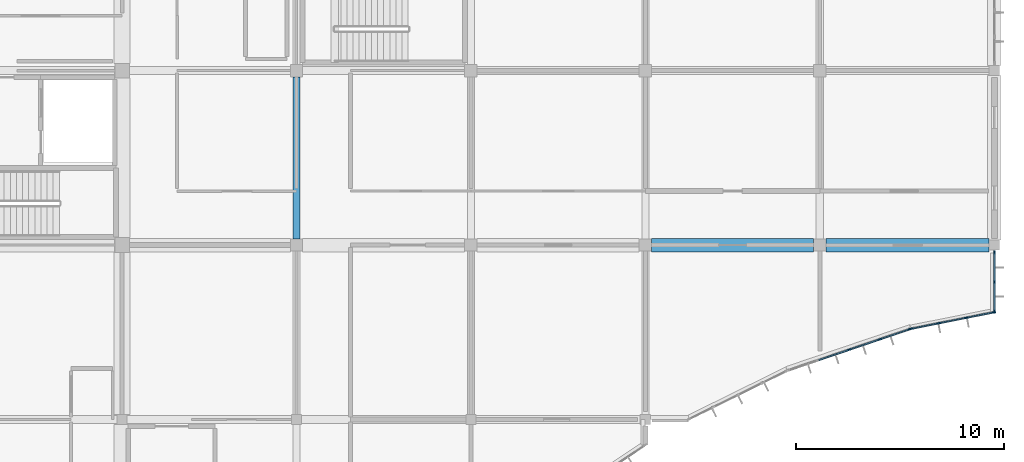
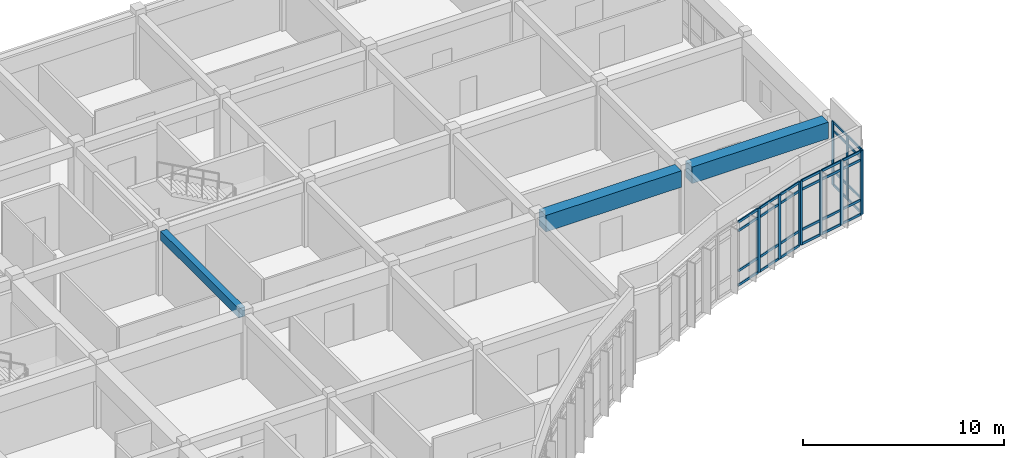
# One storey, part 51 of 119: 42 members, 3 beams, 3 elements without a shape of their own.
"""IFC4 building model written with IfcOpenShell, lengths in metres."""

from ifc_helpers import new_model, si_unit, direction, frame, origin, origin_2d, place, context, subcontext, project, spatial, rectangle, extrude, material, layer, layer_set, material_profile, profile_set, type_object, element, aggregate, save


model = new_model("IFC4")

# Units and contexts
model_context = context("Model", 3, precision=1e-05, world=origin(), true_north=direction((0.0, 1.0)))
body_context = subcontext(model_context, "Body", "Model", "MODEL_VIEW")
ifc_project = project(units=[si_unit("LENGTHUNIT", "METRE"), si_unit("AREAUNIT", "SQUARE_METRE"), si_unit("VOLUMEUNIT", "CUBIC_METRE"), si_unit("PLANEANGLEUNIT", "RADIAN"), si_unit("MASSUNIT", "GRAM", prefix="KILO")], contexts=[model_context])

# Site, building, storey
site_placement = place(None, origin())
site = spatial("IfcSite", under=ifc_project, at=site_placement, CompositionType="ELEMENT")
building_placement = place(site_placement, origin())
building = spatial("IfcBuilding", under=site, at=building_placement, Name="Bramfleet General Hospital", CompositionType="ELEMENT")
storey_placement = place(building_placement, frame((0.0, 0.0, 14.39990234375)))
storey = spatial("IfcBuildingStorey", under=building, at=storey_placement, Name="L03", CompositionType="ELEMENT", Elevation=14.39990234375)

# Beams
ifc_material_1 = material(Name="Concrete C35/45", Category="concrete")
ifc_material_profile_1 = material_profile(ifc_material_1, rectangle(XDim=0.35009765625, YDim=0.550048828125, at=origin_2d()), Name="RC BM 550x350")
ifc_profile_set_1 = profile_set([ifc_material_profile_1], Name="Concrete C35/45")
beam_type_1 = type_object("IfcBeamType", Name="BM-RC550", PredefinedType="BEAM", material=ifc_profile_set_1)
beam_1_placement = place(storey_placement, frame((134.39990234375, 92.699951171875, 3.625), z_axis=(0.0, 1.0, 0.0), x_axis=(-1.0, 0.0, 0.0)))
element("IfcBeam", 1, at=beam_1_placement, inside=storey, type_object=beam_type_1, Name="L03 Grid Beam Y 16-11", PredefinedType="BEAM", context=body_context, shape_type="SweptSolid", body=[
    extrude(rectangle(XDim=0.35009765625, YDim=0.550048828125, at=origin_2d()), origin(), (0.0, 0.0, 1.0), 7.800048828125),
])
ifc_material_2 = material(Name="Concrete C40/50", Category="concrete")
ifc_material_profile_2 = material_profile(ifc_material_2, rectangle(XDim=0.64990234375, YDim=1.0, at=origin_2d()), Name="RC TG 1000x650")
ifc_profile_set_2 = profile_set([ifc_material_profile_2], Name="Concrete C40/50")
beam_type_2 = type_object("IfcBeamType", Name="BM-TG1000", PredefinedType="BEAM", material=ifc_profile_set_2)
beam_2_placement = place(storey_placement, frame((151.5, 92.39990234375, 3.400146484375), z_axis=(1.0, 0.0, 0.0), x_axis=(0.0, 1.0, 0.0)))
element("IfcBeam", 2, at=beam_2_placement, inside=storey, type_object=beam_type_2, Name="L03 Transfer Girder X 18-11", PredefinedType="BEAM", context=body_context, shape_type="SweptSolid", body=[
    extrude(rectangle(XDim=0.64990234375, YDim=1.0, at=origin_2d()), origin(), (0.0, 0.0, 1.0), 7.800048828125),
])
beam_3_placement = place(storey_placement, frame((159.89990234375, 92.39990234375, 3.400146484375), z_axis=(1.0, 0.0, 0.0), x_axis=(0.0, 1.0, 0.0)))
element("IfcBeam", 3, at=beam_3_placement, inside=storey, type_object=beam_type_2, Name="L03 Transfer Girder X 19-11", PredefinedType="BEAM", context=body_context, shape_type="SweptSolid", body=[
    extrude(rectangle(XDim=0.64990234375, YDim=1.0, at=origin_2d()), origin(), (0.0, 0.0, 1.0), 7.85009765625),
])

# Curtain wall, members
ifc_material_3 = material(Name="Anodised aluminium and low-E triple glazing", Category="aluminium")
ifc_layer_1 = layer(ifc_material_3, 0.179931640625, Name="CWT-CW-06")
ifc_layer_set_1 = layer_set([ifc_layer_1], Name="Anodised aluminium and low-E triple glazing")
curtain_wall_type_1 = type_object("IfcCurtainWallType", Name="CWT-CW-06", PredefinedType="USERDEFINED", material=ifc_layer_set_1)
curtain_wall_1_placement = place(storey_placement, origin())
curtain_wall_1 = element("IfcCurtainWall", 4, at=curtain_wall_1_placement, inside=storey, type_object=curtain_wall_type_1, Name="L03 Curtain Wall 150", ObjectType="Unitised curtain wall", PredefinedType="USERDEFINED")
ifc_material_4 = material(Name="Structural timber GL28h", Category="wood")
ifc_material_profile_3 = material_profile(ifc_material_4, rectangle(XDim=0.070068359375, YDim=0.18994140625, at=origin_2d()), Name="LARCH 190x70")
ifc_profile_set_3 = profile_set([ifc_material_profile_3], Name="Structural timber GL28h")
member_type_1 = type_object("IfcMemberType", Name="CWM-LARCH450", PredefinedType="MULLION", material=ifc_profile_set_3)
member_1_placement = place(storey_placement, frame((168.0, 92.0400390625, 0.0), z_axis=(0.0, 0.0, 1.0), x_axis=(1.0, 0.0, 0.0)))
member_1 = element("IfcMember", 5, at=member_1_placement, type_object=member_type_1, Name="CW-06 mullion 1", PredefinedType="MULLION", context=body_context, shape_type="SweptSolid", body=[
    extrude(rectangle(XDim=0.070068359375, YDim=0.18994140625, at=origin_2d()), origin(), (0.0, 0.0, 1.0), 3.89013671875),
])
member_2_placement = place(storey_placement, frame((168.0, 90.6201171875, 0.0), z_axis=(0.0, 0.0, 1.0), x_axis=(1.0, 0.0, 0.0)))
member_2 = element("IfcMember", 6, at=member_2_placement, type_object=member_type_1, Name="CW-06 mullion 2", PredefinedType="MULLION", context=body_context, shape_type="SweptSolid", body=[
    extrude(rectangle(XDim=0.070068359375, YDim=0.18994140625, at=origin_2d()), origin(), (0.0, 0.0, 1.0), 3.89013671875),
])
member_3_placement = place(storey_placement, frame((168.0, 89.199951171875, 0.0), z_axis=(0.0, 0.0, 1.0), x_axis=(1.0, 0.0, 0.0)))
member_3 = element("IfcMember", 7, at=member_3_placement, type_object=member_type_1, Name="CW-06 mullion 3", PredefinedType="MULLION", context=body_context, shape_type="SweptSolid", body=[
    extrude(rectangle(XDim=0.070068359375, YDim=0.18994140625, at=origin_2d()), origin(), (0.0, 0.0, 1.0), 3.89013671875),
])

ifc_layer_2 = layer(ifc_material_3, 0.179931640625, Name="CWT-CW-07")
ifc_layer_set_2 = layer_set([ifc_layer_2], Name="Anodised aluminium and low-E triple glazing")
curtain_wall_type_2 = type_object("IfcCurtainWallType", Name="CWT-CW-07", PredefinedType="USERDEFINED", material=ifc_layer_set_2)
curtain_wall_2_placement = place(storey_placement, origin())
curtain_wall_2 = element("IfcCurtainWall", 8, at=curtain_wall_2_placement, inside=storey, type_object=curtain_wall_type_2, Name="L03 Curtain Wall 151", ObjectType="Unitised curtain wall", PredefinedType="USERDEFINED")
member_4_placement = place(storey_placement, frame((167.965576171875, 89.158203125, 0.0), z_axis=(0.0, 0.0, 1.0), x_axis=(0.195272189606, -0.980749087161, 0.0)))
member_4 = element("IfcMember", 9, at=member_4_placement, type_object=member_type_1, Name="CW-07 mullion 1", PredefinedType="MULLION", context=body_context, shape_type="SweptSolid", body=[
    extrude(rectangle(XDim=0.070068359375, YDim=0.18994140625, at=origin_2d()), origin(), (0.0, 0.0, 1.0), 3.89013671875),
])
member_5_placement = place(storey_placement, frame((166.658935546875, 88.89794921875, 0.0), z_axis=(0.0, 0.0, 1.0), x_axis=(0.195272189606, -0.980749087161, 0.0)))
member_5 = element("IfcMember", 10, at=member_5_placement, type_object=member_type_1, Name="CW-07 mullion 2", PredefinedType="MULLION", context=body_context, shape_type="SweptSolid", body=[
    extrude(rectangle(XDim=0.070068359375, YDim=0.18994140625, at=origin_2d()), origin(), (0.0, 0.0, 1.0), 3.89013671875),
])
member_6_placement = place(storey_placement, frame((165.318115234375, 88.631103515625, 0.0), z_axis=(0.0, 0.0, 1.0), x_axis=(0.195272189606, -0.980749087161, 0.0)))
member_6 = element("IfcMember", 11, at=member_6_placement, type_object=member_type_1, Name="CW-07 mullion 3", PredefinedType="MULLION", context=body_context, shape_type="SweptSolid", body=[
    extrude(rectangle(XDim=0.070068359375, YDim=0.18994140625, at=origin_2d()), origin(), (0.0, 0.0, 1.0), 3.89013671875),
])
member_7_placement = place(storey_placement, frame((164.01123046875, 88.370849609375, 0.0), z_axis=(0.0, 0.0, 1.0), x_axis=(0.195272189606, -0.980749087161, 0.0)))
member_7 = element("IfcMember", 12, at=member_7_placement, type_object=member_type_1, Name="CW-07 mullion 4", PredefinedType="MULLION", context=body_context, shape_type="SweptSolid", body=[
    extrude(rectangle(XDim=0.070068359375, YDim=0.18994140625, at=origin_2d()), origin(), (0.0, 0.0, 1.0), 3.89013671875),
])

ifc_layer_3 = layer(ifc_material_3, 0.179931640625, Name="CWT-CW-08")
ifc_layer_set_3 = layer_set([ifc_layer_3], Name="Anodised aluminium and low-E triple glazing")
curtain_wall_type_3 = type_object("IfcCurtainWallType", Name="CWT-CW-08", PredefinedType="USERDEFINED", material=ifc_layer_set_3)
curtain_wall_3_placement = place(storey_placement, origin())
curtain_wall_3 = element("IfcCurtainWall", 13, at=curtain_wall_3_placement, inside=storey, type_object=curtain_wall_type_3, Name="L03 Curtain Wall 152", ObjectType="Unitised curtain wall", PredefinedType="USERDEFINED")
member_8_placement = place(storey_placement, frame((163.94384765625, 88.352783203125, 0.0), z_axis=(0.0, 0.0, 1.0), x_axis=(0.321383054181, -0.946949276617, 0.0)))
member_8 = element("IfcMember", 14, at=member_8_placement, type_object=member_type_1, Name="CW-08 mullion 1", PredefinedType="MULLION", context=body_context, shape_type="SweptSolid", body=[
    extrude(rectangle(XDim=0.070068359375, YDim=0.18994140625, at=origin_2d()), origin(), (0.0, 0.0, 1.0), 3.89013671875),
])
member_9_placement = place(storey_placement, frame((162.490478515625, 87.859619140625, 0.0), z_axis=(0.0, 0.0, 1.0), x_axis=(0.321383054181, -0.946949276617, 0.0)))
member_9 = element("IfcMember", 15, at=member_9_placement, type_object=member_type_1, Name="CW-08 mullion 2", PredefinedType="MULLION", context=body_context, shape_type="SweptSolid", body=[
    extrude(rectangle(XDim=0.070068359375, YDim=0.18994140625, at=origin_2d()), origin(), (0.0, 0.0, 1.0), 3.89013671875),
])
member_10_placement = place(storey_placement, frame((161.00390625, 87.35498046875, 0.0), z_axis=(0.0, 0.0, 1.0), x_axis=(0.321383054181, -0.946949276617, 0.0)))
member_10 = element("IfcMember", 16, at=member_10_placement, type_object=member_type_1, Name="CW-08 mullion 3", PredefinedType="MULLION", context=body_context, shape_type="SweptSolid", body=[
    extrude(rectangle(XDim=0.070068359375, YDim=0.18994140625, at=origin_2d()), origin(), (0.0, 0.0, 1.0), 3.89013671875),
])

# Member
ifc_material_profile_4 = material_profile(ifc_material_4, rectangle(XDim=0.06494140625, YDim=0.14990234375, at=origin_2d()), Name="LARCH 150x65")
ifc_profile_set_4 = profile_set([ifc_material_profile_4], Name="Structural timber GL28h")
member_type_2 = type_object("IfcMemberType", Name="CWT-LARCH220", PredefinedType="USERDEFINED", material=ifc_profile_set_4)
member_11_placement = place(storey_placement, frame((168.0, 92.0048828125, 0.03271484375), z_axis=(0.0, -1.0, 0.0), x_axis=(1.0, 0.0, 0.0)))
member_11 = element("IfcMember", 17, at=member_11_placement, type_object=member_type_2, Name="CW-06 transom 1.1", ObjectType="TRANSOM", PredefinedType="USERDEFINED", context=body_context, shape_type="SweptSolid", body=[
    extrude(rectangle(XDim=0.06494140625, YDim=0.14990234375, at=origin_2d()), origin(), (0.0, 0.0, 1.0), 1.349853515625),
])

member_12_placement = place(storey_placement, frame((168.0, 92.0048828125, 0.900146484375), z_axis=(0.0, -1.0, 0.0), x_axis=(1.0, 0.0, 0.0)))
member_12 = element("IfcMember", 18, at=member_12_placement, type_object=member_type_2, Name="CW-06 transom 1.2", ObjectType="TRANSOM", PredefinedType="USERDEFINED", context=body_context, shape_type="SweptSolid", body=[
    extrude(rectangle(XDim=0.06494140625, YDim=0.14990234375, at=origin_2d()), origin(), (0.0, 0.0, 1.0), 1.349853515625),
])

member_13_placement = place(storey_placement, frame((168.0, 92.0048828125, 3.340087890625), z_axis=(0.0, -1.0, 0.0), x_axis=(1.0, 0.0, 0.0)))
member_13 = element("IfcMember", 19, at=member_13_placement, type_object=member_type_2, Name="CW-06 transom 1.3", ObjectType="TRANSOM", PredefinedType="USERDEFINED", context=body_context, shape_type="SweptSolid", body=[
    extrude(rectangle(XDim=0.06494140625, YDim=0.14990234375, at=origin_2d()), origin(), (0.0, 0.0, 1.0), 1.349853515625),
])

member_14_placement = place(storey_placement, frame((168.0, 92.0048828125, 3.857666015625), z_axis=(0.0, -1.0, 0.0), x_axis=(1.0, 0.0, 0.0)))
member_14 = element("IfcMember", 20, at=member_14_placement, type_object=member_type_2, Name="CW-06 transom 1.4", ObjectType="TRANSOM", PredefinedType="USERDEFINED", context=body_context, shape_type="SweptSolid", body=[
    extrude(rectangle(XDim=0.06494140625, YDim=0.14990234375, at=origin_2d()), origin(), (0.0, 0.0, 1.0), 1.349853515625),
])

member_15_placement = place(storey_placement, frame((168.0, 90.5849609375, 0.03271484375), z_axis=(0.0, -1.0, 0.0), x_axis=(1.0, 0.0, 0.0)))
member_15 = element("IfcMember", 21, at=member_15_placement, type_object=member_type_2, Name="CW-06 transom 2.1", ObjectType="TRANSOM", PredefinedType="USERDEFINED", context=body_context, shape_type="SweptSolid", body=[
    extrude(rectangle(XDim=0.06494140625, YDim=0.14990234375, at=origin_2d()), origin(), (0.0, 0.0, 1.0), 1.349853515625),
])

member_16_placement = place(storey_placement, frame((168.0, 90.5849609375, 0.900146484375), z_axis=(0.0, -1.0, 0.0), x_axis=(1.0, 0.0, 0.0)))
member_16 = element("IfcMember", 22, at=member_16_placement, type_object=member_type_2, Name="CW-06 transom 2.2", ObjectType="TRANSOM", PredefinedType="USERDEFINED", context=body_context, shape_type="SweptSolid", body=[
    extrude(rectangle(XDim=0.06494140625, YDim=0.14990234375, at=origin_2d()), origin(), (0.0, 0.0, 1.0), 1.349853515625),
])

member_17_placement = place(storey_placement, frame((168.0, 90.5849609375, 3.340087890625), z_axis=(0.0, -1.0, 0.0), x_axis=(1.0, 0.0, 0.0)))
member_17 = element("IfcMember", 23, at=member_17_placement, type_object=member_type_2, Name="CW-06 transom 2.3", ObjectType="TRANSOM", PredefinedType="USERDEFINED", context=body_context, shape_type="SweptSolid", body=[
    extrude(rectangle(XDim=0.06494140625, YDim=0.14990234375, at=origin_2d()), origin(), (0.0, 0.0, 1.0), 1.349853515625),
])

member_18_placement = place(storey_placement, frame((168.0, 90.5849609375, 3.857666015625), z_axis=(0.0, -1.0, 0.0), x_axis=(1.0, 0.0, 0.0)))
member_18 = element("IfcMember", 24, at=member_18_placement, type_object=member_type_2, Name="CW-06 transom 2.4", ObjectType="TRANSOM", PredefinedType="USERDEFINED", context=body_context, shape_type="SweptSolid", body=[
    extrude(rectangle(XDim=0.06494140625, YDim=0.14990234375, at=origin_2d()), origin(), (0.0, 0.0, 1.0), 1.349853515625),
])

aggregate(curtain_wall_1, [member_1, member_2, member_3, member_11, member_12, member_13, member_14, member_15, member_16, member_17, member_18])

member_19_placement = place(storey_placement, frame((167.931396484375, 89.1513671875, 0.03271484375), z_axis=(-0.980736573153, -0.195335030346, 0.0), x_axis=(0.195335030346, -0.980736573153, 0.0)))
member_19 = element("IfcMember", 25, at=member_19_placement, type_object=member_type_2, Name="CW-07 transom 1.1", ObjectType="TRANSOM", PredefinedType="USERDEFINED", context=body_context, shape_type="SweptSolid", body=[
    extrude(rectangle(XDim=0.06494140625, YDim=0.14990234375, at=origin_2d()), origin(), (0.0, 0.0, 1.0), 1.262451171875),
])

member_20_placement = place(storey_placement, frame((167.931396484375, 89.1513671875, 0.900146484375), z_axis=(-0.980736573153, -0.195335030346, 0.0), x_axis=(0.195335030346, -0.980736573153, 0.0)))
member_20 = element("IfcMember", 26, at=member_20_placement, type_object=member_type_2, Name="CW-07 transom 1.2", ObjectType="TRANSOM", PredefinedType="USERDEFINED", context=body_context, shape_type="SweptSolid", body=[
    extrude(rectangle(XDim=0.06494140625, YDim=0.14990234375, at=origin_2d()), origin(), (0.0, 0.0, 1.0), 1.262451171875),
])

member_21_placement = place(storey_placement, frame((167.931396484375, 89.1513671875, 3.340087890625), z_axis=(-0.980736573153, -0.195335030346, 0.0), x_axis=(0.195335030346, -0.980736573153, 0.0)))
member_21 = element("IfcMember", 27, at=member_21_placement, type_object=member_type_2, Name="CW-07 transom 1.3", ObjectType="TRANSOM", PredefinedType="USERDEFINED", context=body_context, shape_type="SweptSolid", body=[
    extrude(rectangle(XDim=0.06494140625, YDim=0.14990234375, at=origin_2d()), origin(), (0.0, 0.0, 1.0), 1.262451171875),
])

member_22_placement = place(storey_placement, frame((167.931396484375, 89.1513671875, 3.857666015625), z_axis=(-0.980736573153, -0.195335030346, 0.0), x_axis=(0.195335030346, -0.980736573153, 0.0)))
member_22 = element("IfcMember", 28, at=member_22_placement, type_object=member_type_2, Name="CW-07 transom 1.4", ObjectType="TRANSOM", PredefinedType="USERDEFINED", context=body_context, shape_type="SweptSolid", body=[
    extrude(rectangle(XDim=0.06494140625, YDim=0.14990234375, at=origin_2d()), origin(), (0.0, 0.0, 1.0), 1.262451171875),
])

member_23_placement = place(storey_placement, frame((166.624755859375, 88.89111328125, 0.03271484375), z_axis=(-0.9807756029, -0.195138967806, 0.0), x_axis=(0.195138967806, -0.9807756029, 0.0)))
member_23 = element("IfcMember", 29, at=member_23_placement, type_object=member_type_2, Name="CW-07 transom 2.1", ObjectType="TRANSOM", PredefinedType="USERDEFINED", context=body_context, shape_type="SweptSolid", body=[
    extrude(rectangle(XDim=0.06494140625, YDim=0.14990234375, at=origin_2d()), origin(), (0.0, 0.0, 1.0), 1.29736328125),
])

member_24_placement = place(storey_placement, frame((166.624755859375, 88.89111328125, 0.900146484375), z_axis=(-0.9807756029, -0.195138967806, 0.0), x_axis=(0.195138967806, -0.9807756029, 0.0)))
member_24 = element("IfcMember", 30, at=member_24_placement, type_object=member_type_2, Name="CW-07 transom 2.2", ObjectType="TRANSOM", PredefinedType="USERDEFINED", context=body_context, shape_type="SweptSolid", body=[
    extrude(rectangle(XDim=0.06494140625, YDim=0.14990234375, at=origin_2d()), origin(), (0.0, 0.0, 1.0), 1.29736328125),
])

member_25_placement = place(storey_placement, frame((166.624755859375, 88.89111328125, 3.340087890625), z_axis=(-0.9807756029, -0.195138967806, 0.0), x_axis=(0.195138967806, -0.9807756029, 0.0)))
member_25 = element("IfcMember", 31, at=member_25_placement, type_object=member_type_2, Name="CW-07 transom 2.3", ObjectType="TRANSOM", PredefinedType="USERDEFINED", context=body_context, shape_type="SweptSolid", body=[
    extrude(rectangle(XDim=0.06494140625, YDim=0.14990234375, at=origin_2d()), origin(), (0.0, 0.0, 1.0), 1.29736328125),
])

member_26_placement = place(storey_placement, frame((166.624755859375, 88.89111328125, 3.857666015625), z_axis=(-0.9807756029, -0.195138967806, 0.0), x_axis=(0.195138967806, -0.9807756029, 0.0)))
member_26 = element("IfcMember", 32, at=member_26_placement, type_object=member_type_2, Name="CW-07 transom 2.4", ObjectType="TRANSOM", PredefinedType="USERDEFINED", context=body_context, shape_type="SweptSolid", body=[
    extrude(rectangle(XDim=0.06494140625, YDim=0.14990234375, at=origin_2d()), origin(), (0.0, 0.0, 1.0), 1.29736328125),
])

member_27_placement = place(storey_placement, frame((165.28369140625, 88.624267578125, 0.03271484375), z_axis=(-0.980736573153, -0.195335030346, 0.0), x_axis=(0.195335030346, -0.980736573153, 0.0)))
member_27 = element("IfcMember", 33, at=member_27_placement, type_object=member_type_2, Name="CW-07 transom 3.1", ObjectType="TRANSOM", PredefinedType="USERDEFINED", context=body_context, shape_type="SweptSolid", body=[
    extrude(rectangle(XDim=0.06494140625, YDim=0.14990234375, at=origin_2d()), origin(), (0.0, 0.0, 1.0), 1.262451171875),
])

member_28_placement = place(storey_placement, frame((165.28369140625, 88.624267578125, 0.900146484375), z_axis=(-0.980736573153, -0.195335030346, 0.0), x_axis=(0.195335030346, -0.980736573153, 0.0)))
member_28 = element("IfcMember", 34, at=member_28_placement, type_object=member_type_2, Name="CW-07 transom 3.2", ObjectType="TRANSOM", PredefinedType="USERDEFINED", context=body_context, shape_type="SweptSolid", body=[
    extrude(rectangle(XDim=0.06494140625, YDim=0.14990234375, at=origin_2d()), origin(), (0.0, 0.0, 1.0), 1.262451171875),
])

member_29_placement = place(storey_placement, frame((165.28369140625, 88.624267578125, 3.340087890625), z_axis=(-0.980736573153, -0.195335030346, 0.0), x_axis=(0.195335030346, -0.980736573153, 0.0)))
member_29 = element("IfcMember", 35, at=member_29_placement, type_object=member_type_2, Name="CW-07 transom 3.3", ObjectType="TRANSOM", PredefinedType="USERDEFINED", context=body_context, shape_type="SweptSolid", body=[
    extrude(rectangle(XDim=0.06494140625, YDim=0.14990234375, at=origin_2d()), origin(), (0.0, 0.0, 1.0), 1.262451171875),
])

member_30_placement = place(storey_placement, frame((165.28369140625, 88.624267578125, 3.857666015625), z_axis=(-0.980736573153, -0.195335030346, 0.0), x_axis=(0.195335030346, -0.980736573153, 0.0)))
member_30 = element("IfcMember", 36, at=member_30_placement, type_object=member_type_2, Name="CW-07 transom 3.4", ObjectType="TRANSOM", PredefinedType="USERDEFINED", context=body_context, shape_type="SweptSolid", body=[
    extrude(rectangle(XDim=0.06494140625, YDim=0.14990234375, at=origin_2d()), origin(), (0.0, 0.0, 1.0), 1.262451171875),
])

aggregate(curtain_wall_2, [member_4, member_5, member_6, member_7, member_19, member_20, member_21, member_22, member_23, member_24, member_25, member_26, member_27, member_28, member_29, member_30])

member_31_placement = place(storey_placement, frame((163.91064453125, 88.341552734375, 0.03271484375), z_axis=(-0.946952433244, -0.321373753088, 0.0), x_axis=(0.321373753088, -0.946952433244, 0.0)))
member_31 = element("IfcMember", 37, at=member_31_placement, type_object=member_type_2, Name="CW-08 transom 1.1", ObjectType="TRANSOM", PredefinedType="USERDEFINED", context=body_context, shape_type="SweptSolid", body=[
    extrude(rectangle(XDim=0.06494140625, YDim=0.14990234375, at=origin_2d()), origin(), (0.0, 0.0, 1.0), 1.464599609375),
])

member_32_placement = place(storey_placement, frame((163.91064453125, 88.341552734375, 0.900146484375), z_axis=(-0.946952433244, -0.321373753088, 0.0), x_axis=(0.321373753088, -0.946952433244, 0.0)))
member_32 = element("IfcMember", 38, at=member_32_placement, type_object=member_type_2, Name="CW-08 transom 1.2", ObjectType="TRANSOM", PredefinedType="USERDEFINED", context=body_context, shape_type="SweptSolid", body=[
    extrude(rectangle(XDim=0.06494140625, YDim=0.14990234375, at=origin_2d()), origin(), (0.0, 0.0, 1.0), 1.464599609375),
])

member_33_placement = place(storey_placement, frame((163.91064453125, 88.341552734375, 3.340087890625), z_axis=(-0.946952433244, -0.321373753088, 0.0), x_axis=(0.321373753088, -0.946952433244, 0.0)))
member_33 = element("IfcMember", 39, at=member_33_placement, type_object=member_type_2, Name="CW-08 transom 1.3", ObjectType="TRANSOM", PredefinedType="USERDEFINED", context=body_context, shape_type="SweptSolid", body=[
    extrude(rectangle(XDim=0.06494140625, YDim=0.14990234375, at=origin_2d()), origin(), (0.0, 0.0, 1.0), 1.464599609375),
])

member_34_placement = place(storey_placement, frame((163.91064453125, 88.341552734375, 3.857666015625), z_axis=(-0.946952433244, -0.321373753088, 0.0), x_axis=(0.321373753088, -0.946952433244, 0.0)))
member_34 = element("IfcMember", 40, at=member_34_placement, type_object=member_type_2, Name="CW-08 transom 1.4", ObjectType="TRANSOM", PredefinedType="USERDEFINED", context=body_context, shape_type="SweptSolid", body=[
    extrude(rectangle(XDim=0.06494140625, YDim=0.14990234375, at=origin_2d()), origin(), (0.0, 0.0, 1.0), 1.464599609375),
])

member_35_placement = place(storey_placement, frame((162.457275390625, 87.84814453125, 0.03271484375), z_axis=(-0.946960124542, -0.321351089195, 0.0), x_axis=(0.321351089195, -0.946960124542, 0.0)))
member_35 = element("IfcMember", 41, at=member_35_placement, type_object=member_type_2, Name="CW-08 transom 2.1", ObjectType="TRANSOM", PredefinedType="USERDEFINED", context=body_context, shape_type="SweptSolid", body=[
    extrude(rectangle(XDim=0.06494140625, YDim=0.14990234375, at=origin_2d()), origin(), (0.0, 0.0, 1.0), 1.499755859375),
])

member_36_placement = place(storey_placement, frame((162.457275390625, 87.84814453125, 0.900146484375), z_axis=(-0.946960124542, -0.321351089195, 0.0), x_axis=(0.321351089195, -0.946960124542, 0.0)))
member_36 = element("IfcMember", 42, at=member_36_placement, type_object=member_type_2, Name="CW-08 transom 2.2", ObjectType="TRANSOM", PredefinedType="USERDEFINED", context=body_context, shape_type="SweptSolid", body=[
    extrude(rectangle(XDim=0.06494140625, YDim=0.14990234375, at=origin_2d()), origin(), (0.0, 0.0, 1.0), 1.499755859375),
])

member_37_placement = place(storey_placement, frame((162.457275390625, 87.84814453125, 3.340087890625), z_axis=(-0.946960124542, -0.321351089195, 0.0), x_axis=(0.321351089195, -0.946960124542, 0.0)))
member_37 = element("IfcMember", 43, at=member_37_placement, type_object=member_type_2, Name="CW-08 transom 2.3", ObjectType="TRANSOM", PredefinedType="USERDEFINED", context=body_context, shape_type="SweptSolid", body=[
    extrude(rectangle(XDim=0.06494140625, YDim=0.14990234375, at=origin_2d()), origin(), (0.0, 0.0, 1.0), 1.499755859375),
])

member_38_placement = place(storey_placement, frame((162.457275390625, 87.84814453125, 3.857666015625), z_axis=(-0.946960124542, -0.321351089195, 0.0), x_axis=(0.321351089195, -0.946960124542, 0.0)))
member_38 = element("IfcMember", 44, at=member_38_placement, type_object=member_type_2, Name="CW-08 transom 2.4", ObjectType="TRANSOM", PredefinedType="USERDEFINED", context=body_context, shape_type="SweptSolid", body=[
    extrude(rectangle(XDim=0.06494140625, YDim=0.14990234375, at=origin_2d()), origin(), (0.0, 0.0, 1.0), 1.499755859375),
])

member_39_placement = place(storey_placement, frame((160.970947265625, 87.34375, 0.03271484375), z_axis=(-0.946976931603, -0.321301557749, 0.0), x_axis=(0.321301557749, -0.946976931603, 0.0)))
member_39 = element("IfcMember", 45, at=member_39_placement, type_object=member_type_2, Name="CW-08 transom 3.1", ObjectType="TRANSOM", PredefinedType="USERDEFINED", context=body_context, shape_type="SweptSolid", body=[
    extrude(rectangle(XDim=0.06494140625, YDim=0.14990234375, at=origin_2d()), origin(), (0.0, 0.0, 1.0), 1.5),
])

member_40_placement = place(storey_placement, frame((160.970947265625, 87.34375, 0.900146484375), z_axis=(-0.946976931603, -0.321301557749, 0.0), x_axis=(0.321301557749, -0.946976931603, 0.0)))
member_40 = element("IfcMember", 46, at=member_40_placement, type_object=member_type_2, Name="CW-08 transom 3.2", ObjectType="TRANSOM", PredefinedType="USERDEFINED", context=body_context, shape_type="SweptSolid", body=[
    extrude(rectangle(XDim=0.06494140625, YDim=0.14990234375, at=origin_2d()), origin(), (0.0, 0.0, 1.0), 1.5),
])

member_41_placement = place(storey_placement, frame((160.970947265625, 87.34375, 3.340087890625), z_axis=(-0.946976931603, -0.321301557749, 0.0), x_axis=(0.321301557749, -0.946976931603, 0.0)))
member_41 = element("IfcMember", 47, at=member_41_placement, type_object=member_type_2, Name="CW-08 transom 3.3", ObjectType="TRANSOM", PredefinedType="USERDEFINED", context=body_context, shape_type="SweptSolid", body=[
    extrude(rectangle(XDim=0.06494140625, YDim=0.14990234375, at=origin_2d()), origin(), (0.0, 0.0, 1.0), 1.5),
])

member_42_placement = place(storey_placement, frame((160.970947265625, 87.34375, 3.857666015625), z_axis=(-0.946976931603, -0.321301557749, 0.0), x_axis=(0.321301557749, -0.946976931603, 0.0)))
member_42 = element("IfcMember", 48, at=member_42_placement, type_object=member_type_2, Name="CW-08 transom 3.4", ObjectType="TRANSOM", PredefinedType="USERDEFINED", context=body_context, shape_type="SweptSolid", body=[
    extrude(rectangle(XDim=0.06494140625, YDim=0.14990234375, at=origin_2d()), origin(), (0.0, 0.0, 1.0), 1.5),
])

aggregate(curtain_wall_3, [member_8, member_9, member_10, member_31, member_32, member_33, member_34, member_35, member_36, member_37, member_38, member_39, member_40, member_41, member_42])

save(model, "model.ifc")
